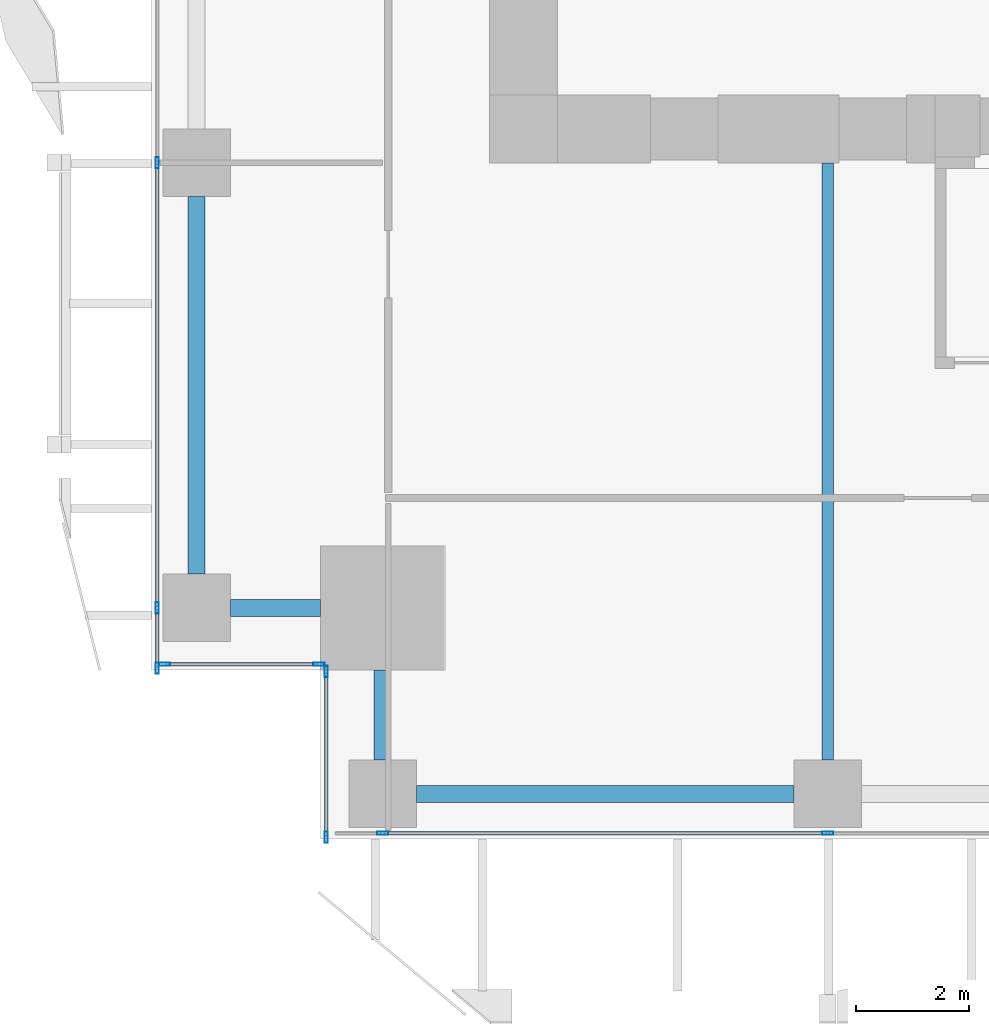
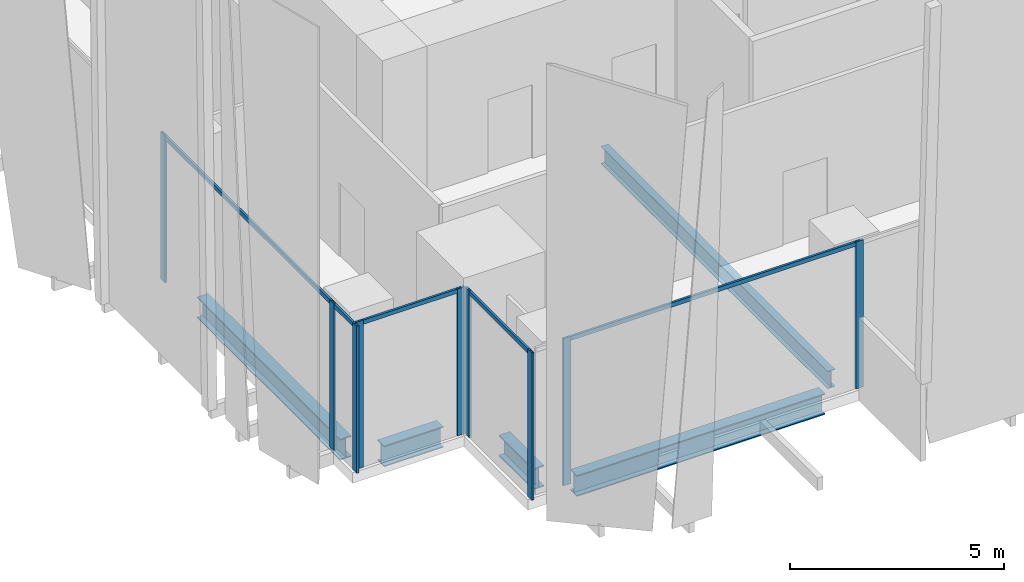
# One storey, part 2 of 34: 14 members, 5 beams, 4 elements without a shape of their own.
"""IFC4 building model written with IfcOpenShell, lengths in metres."""

from ifc_helpers import new_model, si_unit, direction, frame, origin, origin_2d, place, context, subcontext, project, spatial, hollow_rectangle, i_section, extrude, source, transform, mapped, material, material_profile, profile_set, type_object, element, aggregate, save


model = new_model("IFC4")

# Units and contexts
model_context = context("Model", 3, precision=1e-05, world=origin(), true_north=direction((0.0, 1.0)))
body_context = subcontext(model_context, "Body", "Model", "MODEL_VIEW")
ifc_project = project(units=[si_unit("LENGTHUNIT", "METRE"), si_unit("AREAUNIT", "SQUARE_METRE"), si_unit("VOLUMEUNIT", "CUBIC_METRE"), si_unit("PLANEANGLEUNIT", "RADIAN"), si_unit("MASSUNIT", "GRAM", prefix="KILO")], contexts=[model_context])

# Site, building, storey
site_placement = place(None, origin())
site = spatial("IfcSite", under=ifc_project, at=site_placement, CompositionType="ELEMENT")
building_placement = place(site_placement, origin())
building = spatial("IfcBuilding", under=site, at=building_placement, Name="Khomas Fold Tower", CompositionType="ELEMENT")
storey_placement = place(building_placement, frame((0.0, 0.0, 73.5)))
storey = spatial("IfcBuildingStorey", under=building, at=storey_placement, Name="L15", CompositionType="ELEMENT", Elevation=73.5)

# Beams
ifc_material_1 = material(Name="Steel S355", Category="steel")
ifc_material_profile_1 = material_profile(ifc_material_1, i_section(OverallWidth=0.199951171875, OverallDepth=0.5, WebThickness=0.01025390625, FlangeThickness=0.01611328125, at=origin_2d()), Name="IPE 500")
ifc_profile_set_1 = profile_set([ifc_material_profile_1], Name="Steel S355")
beam_type_1 = type_object("IfcBeamType", Name="IPE 500 beam JB5", PredefinedType="BEAM", material=ifc_profile_set_1)
shared_shape_1 = source(origin(), body_context, "Body", "SweptSolid", [
    extrude(i_section(OverallWidth=0.199951171875, OverallDepth=0.5, WebThickness=0.01025390625, FlangeThickness=0.01611328125, at=origin_2d()), origin(), (0.0, 0.0, 1.0), 10.60009765625),
])
beam_placement = place(storey_placement, frame((12.0, 1.39990234375, -0.550048828125), z_axis=(0.0, 1.0, 0.0), x_axis=(-1.0, 0.0, 0.0)))
element("IfcBeam", 1, at=beam_placement, inside=storey, type_object=beam_type_1, Name="JB5", PredefinedType="BEAM", context=body_context, shape_type="MappedRepresentation", body=[
    mapped(shared_shape_1, transform((0.0, 0.0, 0.0))),
])
ifc_material_2 = material(Name="Steel S355", Category="steel")
ifc_material_profile_2 = material_profile(ifc_material_2, i_section(OverallWidth=0.300048828125, OverallDepth=0.60009765625, WebThickness=0.015380859375, FlangeThickness=0.030029296875, at=origin_2d()), Name="HE 600 B")
ifc_profile_set_2 = profile_set([ifc_material_profile_2], Name="Steel S355")
beam_type_2 = type_object("IfcBeamType", Name="HE 600 B spandrel SB1", PredefinedType="SPANDREL", material=ifc_profile_set_2)
shared_shape_2 = source(origin(), body_context, "Body", "SweptSolid", [
    extrude(i_section(OverallWidth=0.300048828125, OverallDepth=0.60009765625, WebThickness=0.015380859375, FlangeThickness=0.030029296875, at=origin_2d()), origin(), (0.0, 0.0, 1.0), 6.699951171875),
])
for number, where, z_axis, x_axis, name in (
    (2, (4.699951171875, 0.800048828125, -0.60009765625), (1.0, 0.0, 0.0), (0.0, 1.0, 0.0), "SB1"),
    (3, (0.800048828125, 4.699951171875, -0.60009765625), (0.0, 1.0, 0.0), (-1.0, 0.0, 0.0), "SB1"),
):
    element("IfcBeam", number, at=place(storey_placement, frame(where, z_axis=z_axis, x_axis=x_axis)), inside=storey, type_object=beam_type_2, Name=name, PredefinedType="SPANDREL", context=body_context, shape_type="MappedRepresentation", body=[
        mapped(shared_shape_2, transform((0.0, 0.0, 0.0))),
    ])
shared_shape_3 = source(origin(), body_context, "Body", "SweptSolid", [
    extrude(i_section(OverallWidth=0.300048828125, OverallDepth=0.60009765625, WebThickness=0.015380859375, FlangeThickness=0.030029296875, at=origin_2d()), origin(), (0.0, 0.0, 1.0), 1.60009765625),
])
for number, where, z_axis, x_axis, name in (
    (4, (1.39990234375, 4.10009765625, -0.60009765625), (1.0, 0.0, 0.0), (0.0, 1.0, 0.0), "SB1"),
    (5, (4.10009765625, 1.39990234375, -0.60009765625), (0.0, 1.0, 0.0), (-1.0, 0.0, 0.0), "SB1"),
):
    element("IfcBeam", number, at=place(storey_placement, frame(where, z_axis=z_axis, x_axis=x_axis)), inside=storey, type_object=beam_type_2, Name=name, PredefinedType="SPANDREL", context=body_context, shape_type="MappedRepresentation", body=[
        mapped(shared_shape_3, transform((0.0, 0.0, 0.0))),
    ])

# Curtain wall, member
ifc_material_3 = material(Name="Aluminium framed double glazing", Category="aluminium")
curtain_wall_type = type_object("IfcCurtainWallType", Name="SK-Unitised clear-glass wall, growing floors CW1", PredefinedType="NOTDEFINED", material=ifc_material_3)
curtain_wall_1_placement = place(storey_placement, origin())
curtain_wall_1 = element("IfcCurtainWall", 6, at=curtain_wall_1_placement, inside=storey, type_object=curtain_wall_type, Name="CW1 run L15 00-0", PredefinedType="NOTDEFINED")
ifc_material_4 = material(Name="Aluminium", Category="aluminium")
ifc_material_profile_3 = material_profile(ifc_material_4, hollow_rectangle(XDim=0.06005859375, YDim=0.1201171875, WallThickness=0.00390625, at=origin_2d()), Name="SK-Unitised clear-glass wall, growing floors transom CW1-T")
ifc_profile_set_3 = profile_set([ifc_material_profile_3], Name="Aluminium")
member_type_1 = type_object("IfcMemberType", Name="SK-Unitised clear-glass wall, growing floors transom CW1-T", PredefinedType="USERDEFINED", material=ifc_profile_set_3)
shared_shape_4 = source(origin(), body_context, "Body", "SweptSolid", [
    extrude(hollow_rectangle(XDim=0.06005859375, YDim=0.1201171875, WallThickness=0.00390625, at=origin_2d()), origin(), (0.0, 0.0, 1.0), 7.840087890625),
])
member_1_placement = place(storey_placement, frame((4.1298828125, 0.10009765625, 4.139892578125), z_axis=(1.0, 0.0, 0.0), x_axis=(0.0, 1.0, 0.0)))
member_1 = element("IfcMember", 7, at=member_1_placement, type_object=member_type_1, Name="CW1 transom 2", ObjectType="TRANSOM", PredefinedType="USERDEFINED", context=body_context, shape_type="MappedRepresentation", body=[
    mapped(shared_shape_4, transform((0.0, 0.0, 0.0))),
])

# Curtain wall, members
curtain_wall_2_placement = place(storey_placement, origin())
curtain_wall_2 = element("IfcCurtainWall", 8, at=curtain_wall_2_placement, inside=storey, type_object=curtain_wall_type, Name="CW1 run L15 09-0", PredefinedType="NOTDEFINED")
member_2_placement = place(storey_placement, frame((0.10009765625, 11.969970703125, 4.139892578125), z_axis=(0.0, -1.0, 0.0), x_axis=(1.0, 0.0, 0.0)))
member_2 = element("IfcMember", 9, at=member_2_placement, type_object=member_type_1, Name="CW1 transom 7", ObjectType="TRANSOM", PredefinedType="USERDEFINED", context=body_context, shape_type="MappedRepresentation", body=[
    mapped(shared_shape_4, transform((0.0, 0.0, 0.0))),
])
shared_shape_5 = source(origin(), body_context, "Body", "SweptSolid", [
    extrude(hollow_rectangle(XDim=0.06005859375, YDim=0.1201171875, WallThickness=0.00390625, at=origin_2d()), origin(), (0.0, 0.0, 1.0), 1.010009765625),
])
member_3_placement = place(storey_placement, frame((0.10009765625, 4.070068359375, 4.139892578125), z_axis=(0.0, -1.0, 0.0), x_axis=(1.0, 0.0, 0.0)))
member_3 = element("IfcMember", 10, at=member_3_placement, type_object=member_type_1, Name="CW1 transom 8", ObjectType="TRANSOM", PredefinedType="USERDEFINED", context=body_context, shape_type="MappedRepresentation", body=[
    mapped(shared_shape_5, transform((0.0, 0.0, 0.0))),
])

# Curtain wall, member
curtain_wall_3_placement = place(storey_placement, origin())
curtain_wall_3 = element("IfcCurtainWall", 11, at=curtain_wall_3_placement, inside=storey, type_object=curtain_wall_type, Name="CW1 corner return L15 10", PredefinedType="NOTDEFINED")
shared_shape_6 = source(origin(), body_context, "Body", "SweptSolid", [
    extrude(hollow_rectangle(XDim=0.06005859375, YDim=0.1201171875, WallThickness=0.00390625, at=origin_2d()), origin(), (0.0, 0.0, 1.0), 2.679931640625),
])
member_4_placement = place(storey_placement, frame((0.260009765625, 3.10009765625, 4.139892578125), z_axis=(1.0, 0.0, 0.0), x_axis=(0.0, 1.0, 0.0)))
member_4 = element("IfcMember", 12, at=member_4_placement, type_object=member_type_1, Name="CW1 transom 1", ObjectType="TRANSOM", PredefinedType="USERDEFINED", context=body_context, shape_type="MappedRepresentation", body=[
    mapped(shared_shape_6, transform((0.0, 0.0, 0.0))),
])

curtain_wall_4_placement = place(storey_placement, origin())
curtain_wall_4 = element("IfcCurtainWall", 13, at=curtain_wall_4_placement, inside=storey, type_object=curtain_wall_type, Name="CW1 corner return L15 11", PredefinedType="NOTDEFINED")
shared_shape_7 = source(origin(), body_context, "Body", "SweptSolid", [
    extrude(hollow_rectangle(XDim=0.06005859375, YDim=0.1201171875, WallThickness=0.00390625, at=origin_2d()), origin(), (0.0, 0.0, 1.0), 2.8798828125),
])
member_5_placement = place(storey_placement, frame((3.10009765625, 2.93994140625, 4.139892578125), z_axis=(0.0, -1.0, 0.0), x_axis=(1.0, 0.0, 0.0)))
member_5 = element("IfcMember", 14, at=member_5_placement, type_object=member_type_1, Name="CW1 transom 1", ObjectType="TRANSOM", PredefinedType="USERDEFINED", context=body_context, shape_type="MappedRepresentation", body=[
    mapped(shared_shape_7, transform((0.0, 0.0, 0.0))),
])

# Member
ifc_material_5 = material(Name="Aluminium", Category="aluminium")
ifc_material_profile_4 = material_profile(ifc_material_5, hollow_rectangle(XDim=0.06005859375, YDim=0.199951171875, WallThickness=0.00390625, at=origin_2d()), Name="SK-Unitised clear-glass wall, growing floors mullion CW1-M")
ifc_profile_set_4 = profile_set([ifc_material_profile_4], Name="Aluminium")
member_type_2 = type_object("IfcMemberType", Name="SK-Unitised clear-glass wall, growing floors mullion CW1-M", PredefinedType="MULLION", material=ifc_profile_set_4)
shared_shape_8 = source(origin(), body_context, "Body", "SweptSolid", [
    extrude(hollow_rectangle(XDim=0.06005859375, YDim=0.199951171875, WallThickness=0.00390625, at=origin_2d()), origin(), (0.0, 0.0, 1.0), 4.199951171875),
])
member_6_placement = place(storey_placement, frame((4.10009765625, 0.10009765625, 0.0), z_axis=(0.0, 0.0, 1.0), x_axis=(0.0, 1.0, 0.0)))
member_6 = element("IfcMember", 15, at=member_6_placement, type_object=member_type_2, Name="CW1 mullion 2", PredefinedType="MULLION", context=body_context, shape_type="MappedRepresentation", body=[
    mapped(shared_shape_8, transform((0.0, 0.0, 0.0))),
])

member_7_placement = place(storey_placement, frame((12.0, 0.10009765625, 0.0), z_axis=(0.0, 0.0, 1.0), x_axis=(0.0, 1.0, 0.0)))
member_7 = element("IfcMember", 16, at=member_7_placement, type_object=member_type_2, Name="CW1 mullion 3", PredefinedType="MULLION", context=body_context, shape_type="MappedRepresentation", body=[
    mapped(shared_shape_8, transform((0.0, 0.0, 0.0))),
])

aggregate(curtain_wall_1, [member_6, member_7, member_1])

member_8_placement = place(storey_placement, frame((0.10009765625, 12.0, 0.0), z_axis=(0.0, 0.0, 1.0), x_axis=(1.0, 0.0, 0.0)))
member_8 = element("IfcMember", 17, at=member_8_placement, type_object=member_type_2, Name="CW1 mullion 7", PredefinedType="MULLION", context=body_context, shape_type="MappedRepresentation", body=[
    mapped(shared_shape_8, transform((0.0, 0.0, 0.0))),
])

member_9_placement = place(storey_placement, frame((0.10009765625, 4.10009765625, 0.0), z_axis=(0.0, 0.0, 1.0), x_axis=(1.0, 0.0, 0.0)))
member_9 = element("IfcMember", 18, at=member_9_placement, type_object=member_type_2, Name="CW1 mullion 8", PredefinedType="MULLION", context=body_context, shape_type="MappedRepresentation", body=[
    mapped(shared_shape_8, transform((0.0, 0.0, 0.0))),
])

member_10_placement = place(storey_placement, frame((0.10009765625, 3.030029296875, 0.0), z_axis=(0.0, 0.0, 1.0), x_axis=(1.0, 0.0, 0.0)))
member_10 = element("IfcMember", 19, at=member_10_placement, type_object=member_type_2, Name="CW1 mullion 9", PredefinedType="MULLION", context=body_context, shape_type="MappedRepresentation", body=[
    mapped(shared_shape_8, transform((0.0, 0.0, 0.0))),
])

aggregate(curtain_wall_2, [member_8, member_9, member_10, member_2, member_3])

member_11_placement = place(storey_placement, frame((0.22998046875, 3.10009765625, 0.0), z_axis=(0.0, 0.0, 1.0), x_axis=(0.0, 1.0, 0.0)))
member_11 = element("IfcMember", 20, at=member_11_placement, type_object=member_type_2, Name="CW1 mullion 1", PredefinedType="MULLION", context=body_context, shape_type="MappedRepresentation", body=[
    mapped(shared_shape_8, transform((0.0, 0.0, 0.0))),
])

member_12_placement = place(storey_placement, frame((2.969970703125, 3.10009765625, 0.0), z_axis=(0.0, 0.0, 1.0), x_axis=(0.0, 1.0, 0.0)))
member_12 = element("IfcMember", 21, at=member_12_placement, type_object=member_type_2, Name="CW1 mullion 2", PredefinedType="MULLION", context=body_context, shape_type="MappedRepresentation", body=[
    mapped(shared_shape_8, transform((0.0, 0.0, 0.0))),
])

aggregate(curtain_wall_3, [member_11, member_12, member_4])

member_13_placement = place(storey_placement, frame((3.10009765625, 2.969970703125, 0.0), z_axis=(0.0, 0.0, 1.0), x_axis=(1.0, 0.0, 0.0)))
member_13 = element("IfcMember", 22, at=member_13_placement, type_object=member_type_2, Name="CW1 mullion 1", PredefinedType="MULLION", context=body_context, shape_type="MappedRepresentation", body=[
    mapped(shared_shape_8, transform((0.0, 0.0, 0.0))),
])

member_14_placement = place(storey_placement, frame((3.10009765625, 0.030029296875, 0.0), z_axis=(0.0, 0.0, 1.0), x_axis=(1.0, 0.0, 0.0)))
member_14 = element("IfcMember", 23, at=member_14_placement, type_object=member_type_2, Name="CW1 mullion 2", PredefinedType="MULLION", context=body_context, shape_type="MappedRepresentation", body=[
    mapped(shared_shape_8, transform((0.0, 0.0, 0.0))),
])

aggregate(curtain_wall_4, [member_13, member_14, member_5])

save(model, "model.ifc")
